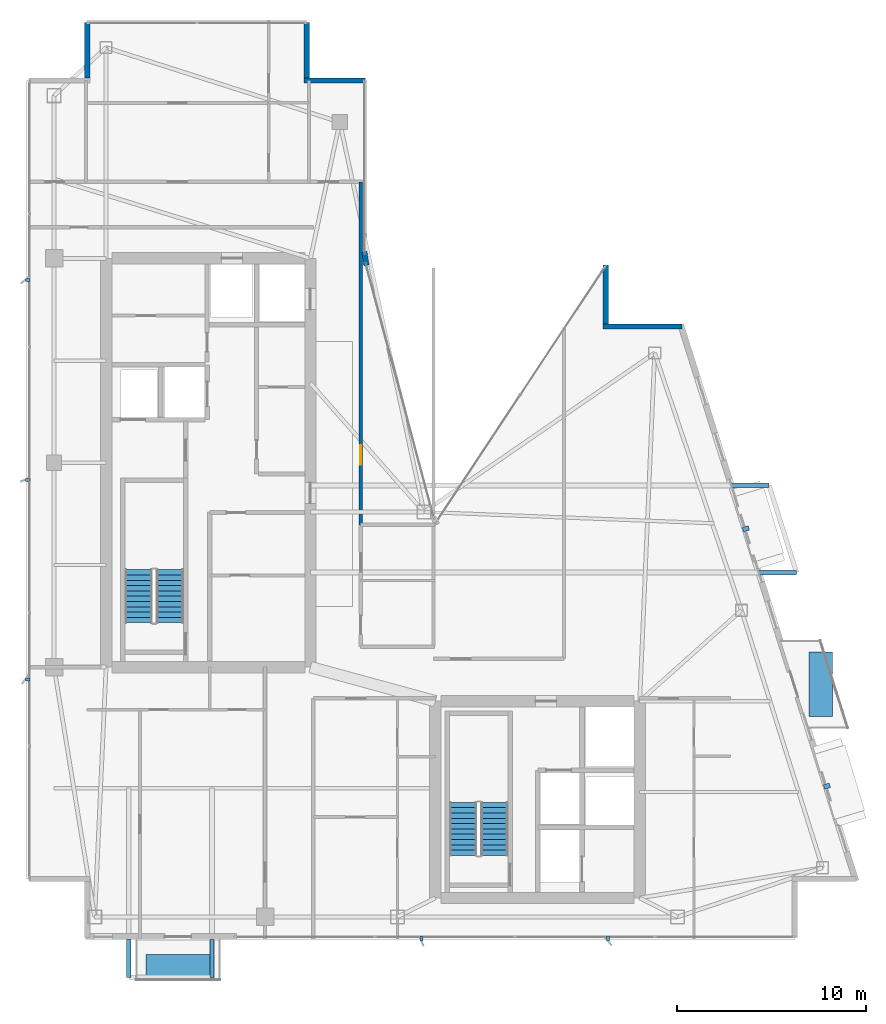
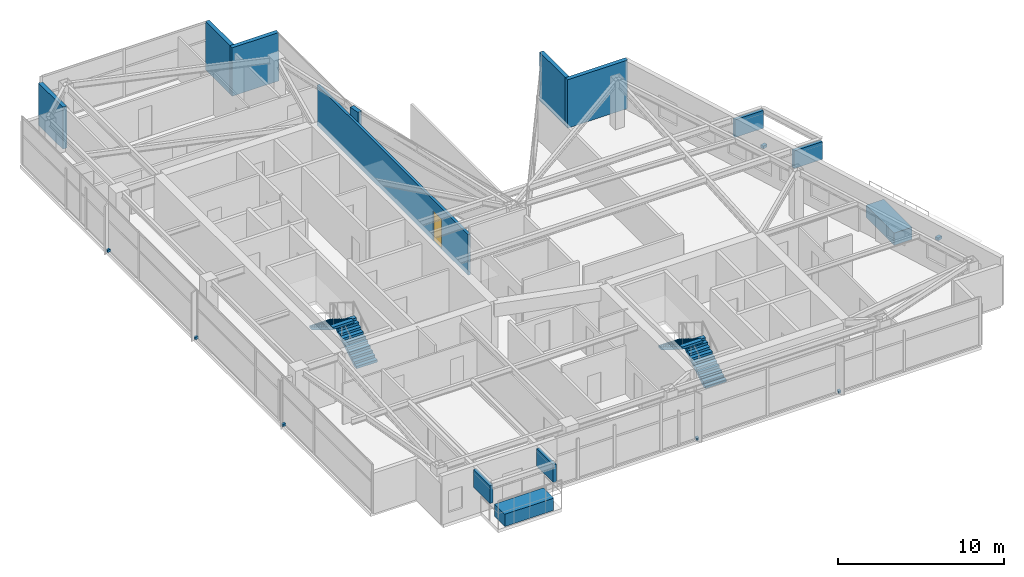
# One storey, part 26 of 28: 13 discrete accessories, 7 walls, 4 stair flights, 1 door, 1 opening, 2 elements without a shape of their own.
"""IFC4 building model written with IfcOpenShell, lengths in metres."""

from ifc_helpers import new_model, si_unit, direction, frame, frame_2d, origin, origin_2d, place, context, subcontext, project, spatial, polyline, rectangle, outline, extrude, material, layer, layer_set, type_object, element, fill, aggregate, save


model = new_model("IFC4")

# Units and contexts
model_context = context("Model", 3, precision=1e-05, world=origin(), true_north=direction((0.0, 1.0)))
body_context = subcontext(model_context, "Body", "Model", "MODEL_VIEW")
ifc_project = project(units=[si_unit("LENGTHUNIT", "METRE"), si_unit("AREAUNIT", "SQUARE_METRE"), si_unit("VOLUMEUNIT", "CUBIC_METRE"), si_unit("PLANEANGLEUNIT", "RADIAN"), si_unit("MASSUNIT", "GRAM", prefix="KILO")], contexts=[model_context])

# Site, building, storey
site_placement = place(None, origin())
site = spatial("IfcSite", under=ifc_project, at=site_placement, CompositionType="ELEMENT")
building_placement = place(site_placement, origin())
building = spatial("IfcBuilding", under=site, at=building_placement, Name="Calvorn Quay Hotel", CompositionType="ELEMENT")
storey_placement = place(building_placement, frame((0.0, 0.0, 274.89990234375)))
storey = spatial("IfcBuildingStorey", under=building, at=storey_placement, Name="L68", CompositionType="ELEMENT", Elevation=274.89990234375)

# Wall, opening, door
ifc_material_1 = material(Name="Acoustic Fireboard Steel-Stud Partition", Category="steel")
ifc_layer_1 = layer(ifc_material_1, 0.179931640625)
ifc_layer_set_1 = layer_set([ifc_layer_1], Name="WL-CORR-FIRE-180")
wall_type_1 = type_object("IfcWallType", Name="WL-CORR-FIRE-180", PredefinedType="PARTITIONING", material=ifc_layer_set_1)
wall_1_placement = place(storey_placement, frame((17.64990234375, 24.300048828125, 0.0), z_axis=(0.0, 0.0, 1.0), x_axis=(0.0, 1.0, 0.0)))
wall_1 = element("IfcWall", 1, at=wall_1_placement, inside=storey, type_object=wall_type_1, Name="Partition Wall L68-WL-NW-CLOSURE-E", PredefinedType="PARTITIONING", context=body_context, shape_type="SweptSolid", body=[
    extrude(rectangle(XDim=18.14990234375, YDim=0.179931640625, at=frame_2d((9.074951171875, 0.0))), origin(), (0.0, 0.0, 1.0), 2.989990234375),
])
opening_placement = place(wall_1_placement, frame((3.199951171875, 0.0, 0.0)))
opening = element("IfcOpeningElement", 2, at=opening_placement, cuts=wall_1, Name="Opening D-L68-NCU", PredefinedType="OPENING", context=body_context, shape_type="SweptSolid", body=[
    extrude(rectangle(XDim=1.02001953125, YDim=2.199951171875, at=frame_2d((0.510009765625, 1.10009765625))), frame((0.0, 0.099853515625, 0.0), z_axis=(0.0, -1.0, 0.0), x_axis=(1.0, 0.0, 0.0)), (0.0, 0.0, 1.0), 0.199951171875),
])
ifc_material_2 = material(Name="Solid-Core Walnut Veneer Hotel Fire Door")
door_type = type_object("IfcDoorType", Name="DR-GUEST-ENTRY-1020", OperationType="NOTDEFINED", PredefinedType="DOOR", material=ifc_material_2)
door_placement = place(opening_placement, origin())
door = element("IfcDoor", 3, at=door_placement, inside=storey, type_object=door_type, Name="Inner Court Horizon Study Door (L68)", OperationType="SINGLE_SWING_RIGHT", OverallHeight=2.199951171875, OverallWidth=1.02001953125, PredefinedType="DOOR", context=body_context, shape_type="SweptSolid", body=[
    extrude(rectangle(XDim=1.02001953125, YDim=2.199951171875, at=frame_2d((0.510009765625, 1.10009765625))), frame((0.0, 0.02490234375, 0.0), z_axis=(0.0, -1.0, 0.0), x_axis=(1.0, 0.0, 0.0)), (0.0, 0.0, 1.0), 0.050048828125),
])
fill(opening, door)

# Walls
ifc_material_3 = material(Name="Concrete C40", Category="concrete")
ifc_layer_2 = layer(ifc_material_3, 0.320068359375)
ifc_layer_set_2 = layer_set([ifc_layer_2], Name="WL-EXT-SPANDREL-320")
wall_type_2 = type_object("IfcWallType", Name="WL-EXT-SPANDREL-320", PredefinedType="SOLIDWALL", material=ifc_layer_set_2)
wall_2_placement = place(storey_placement, frame((17.9619140625, 38.030029296875, 0.0), z_axis=(0.0, 0.0, 1.0), x_axis=(-0.15141125477, 0.988470855377, 0.0)))
element("IfcWall", 4, at=wall_2_placement, inside=storey, type_object=wall_type_2, Name="Inner Court Corner Pier L68-ICJ2", PredefinedType="SOLIDWALL", context=body_context, shape_type="SweptSolid", body=[
    extrude(rectangle(XDim=0.738525390625, YDim=0.280029296875, at=frame_2d((0.369140625, 0.0))), origin(), (0.0, 0.0, 1.0), 3.56005859375),
])
wall_3_placement = place(storey_placement, frame((34.639892578125, 34.800048828125, 0.0), z_axis=(0.0, 0.0, 1.0), x_axis=(-1.0, 0.0, 0.0)))
element("IfcWall", 5, at=wall_3_placement, inside=storey, type_object=wall_type_2, Name="Notched Corner Spandrel L68-NE1", PredefinedType="SOLIDWALL", context=body_context, shape_type="SweptSolid", body=[
    extrude(rectangle(XDim=4.179931640625, YDim=0.280029296875, at=frame_2d((2.08984375, 0.0))), origin(), (0.0, 0.0, 1.0), 3.56005859375),
])
wall_4_placement = place(storey_placement, frame((30.60009765625, 34.93994140625, 0.0), z_axis=(0.0, 0.0, 1.0), x_axis=(0.0, 1.0, 0.0)))
element("IfcWall", 6, at=wall_4_placement, inside=storey, type_object=wall_type_2, Name="Notched Corner Spandrel L68-NE2", PredefinedType="SOLIDWALL", context=body_context, shape_type="SweptSolid", body=[
    extrude(rectangle(XDim=3.10009765625, YDim=0.280029296875, at=frame_2d((1.550048828125, 0.0))), origin(), (0.0, 0.0, 1.0), 3.56005859375),
])
wall_5_placement = place(storey_placement, frame((17.89990234375, 47.800048828125, 0.0), z_axis=(0.0, 0.0, 1.0), x_axis=(-1.0, 0.0, 0.0)))
element("IfcWall", 7, at=wall_5_placement, inside=storey, type_object=wall_type_2, Name="Notched Corner Spandrel L68-NWE1", PredefinedType="SOLIDWALL", context=body_context, shape_type="SweptSolid", body=[
    extrude(rectangle(XDim=3.239990234375, YDim=0.280029296875, at=frame_2d((1.6201171875, 0.0))), origin(), (0.0, 0.0, 1.0), 3.56005859375),
])
wall_6_placement = place(storey_placement, frame((14.800048828125, 47.93994140625, 0.0), z_axis=(0.0, 0.0, 1.0), x_axis=(0.0, 1.0, 0.0)))
element("IfcWall", 8, at=wall_6_placement, inside=storey, type_object=wall_type_2, Name="Notched Corner Spandrel L68-NWE2", PredefinedType="SOLIDWALL", context=body_context, shape_type="SweptSolid", body=[
    extrude(rectangle(XDim=2.93994140625, YDim=0.280029296875, at=frame_2d((1.469970703125, 0.0))), origin(), (0.0, 0.0, 1.0), 3.56005859375),
])
wall_7_placement = place(storey_placement, frame((3.199951171875, 50.8798828125, 0.0), z_axis=(0.0, 0.0, 1.0), x_axis=(0.0, -1.0, 0.0)))
element("IfcWall", 9, at=wall_7_placement, inside=storey, type_object=wall_type_2, Name="Notched Corner Spandrel L68-NW1", PredefinedType="SOLIDWALL", context=body_context, shape_type="SweptSolid", body=[
    extrude(rectangle(XDim=2.93994140625, YDim=0.280029296875, at=frame_2d((1.469970703125, 0.0))), origin(), (0.0, 0.0, 1.0), 3.090087890625),
])

# Stair, stair flights
ifc_material_4 = material(Name="Concrete C40", Category="concrete")
stair_type = type_object("IfcStairType", Name="STR-CORE-DOGLEG", PredefinedType="HALF_TURN_STAIR", material=ifc_material_4)
stair_1_placement = place(storey_placement, origin())
stair_1 = element("IfcStair", 10, at=stair_1_placement, inside=storey, type_object=stair_type, Name="L68 ST-W", PredefinedType="HALF_TURN_STAIR")
ifc_material_5 = material(Name="Concrete C40", Category="concrete")
stair_flight_type = type_object("IfcStairFlightType", Name="FLT-CORE-1550", PredefinedType="STRAIGHT", material=ifc_material_5)
stair_flight_1_placement = place(storey_placement, frame((7.574951171875, 19.14990234375, 0.0), z_axis=(0.0, 0.0, 1.0), x_axis=(0.0, 1.0, 0.0)))
stair_flight_1 = element("IfcStairFlight", 11, at=stair_flight_1_placement, type_object=stair_flight_type, Name="ST-W flight 1", NumberOfRisers=11, NumberOfTreads=10, PredefinedType="STRAIGHT", RiserHeight=0.172727273, TreadLength=0.28, context=body_context, shape_type="SweptSolid", body=[
    extrude(outline(polyline([(0.0, 0.0), (0.0, 0.172607421875), (0.280029296875, 0.172607421875), (0.280029296875, 0.345458984375), (0.56005859375, 0.345458984375), (0.56005859375, 0.51806640625), (0.840087890625, 0.51806640625), (0.840087890625, 0.69091796875), (1.1201171875, 0.69091796875), (1.1201171875, 0.863525390625), (1.39990234375, 0.863525390625), (1.39990234375, 1.036376953125), (1.679931640625, 1.036376953125), (1.679931640625, 1.208984375), (1.9599609375, 1.208984375), (1.9599609375, 1.3818359375), (2.239990234375, 1.3818359375), (2.239990234375, 1.554443359375), (2.52001953125, 1.554443359375), (2.52001953125, 1.727294921875), (2.800048828125, 1.727294921875), (2.800048828125, 1.89990234375), (2.800048828125, 1.551025390625), (0.285400390625, 0.0), (0.0, 0.0)])), frame((0.0, 0.72509765625, 0.0), z_axis=(0.0, -1.0, 0.0), x_axis=(1.0, 0.0, 0.0)), (0.0, 0.0, 1.0), 1.449951171875),
])
stair_flight_2_placement = place(storey_placement, frame((5.925048828125, 21.949951171875, 1.900146484375), z_axis=(0.0, 0.0, 1.0), x_axis=(0.0, -1.0, 0.0)))
stair_flight_2 = element("IfcStairFlight", 12, at=stair_flight_2_placement, type_object=stair_flight_type, Name="ST-W flight 2", NumberOfRisers=11, NumberOfTreads=10, PredefinedType="STRAIGHT", RiserHeight=0.172727273, TreadLength=0.28, context=body_context, shape_type="SweptSolid", body=[
    extrude(outline(polyline([(0.0, 0.0), (0.0, 0.172607421875), (0.280029296875, 0.172607421875), (0.280029296875, 0.345458984375), (0.56005859375, 0.345458984375), (0.56005859375, 0.51806640625), (0.840087890625, 0.51806640625), (0.840087890625, 0.69091796875), (1.1201171875, 0.69091796875), (1.1201171875, 0.863525390625), (1.39990234375, 0.863525390625), (1.39990234375, 1.036376953125), (1.679931640625, 1.036376953125), (1.679931640625, 1.208984375), (1.9599609375, 1.208984375), (1.9599609375, 1.3818359375), (2.239990234375, 1.3818359375), (2.239990234375, 1.554443359375), (2.52001953125, 1.554443359375), (2.52001953125, 1.727294921875), (2.800048828125, 1.727294921875), (2.800048828125, 1.89990234375), (2.800048828125, 1.551025390625), (0.285400390625, 0.0), (0.0, 0.0)])), frame((0.0, 0.72509765625, 0.0), z_axis=(0.0, -1.0, 0.0), x_axis=(1.0, 0.0, 0.0)), (0.0, 0.0, 1.0), 1.449951171875),
])
aggregate(stair_1, [stair_flight_1, stair_flight_2])

stair_2_placement = place(storey_placement, origin())
stair_2 = element("IfcStair", 13, at=stair_2_placement, inside=storey, type_object=stair_type, Name="L68 ST-E", PredefinedType="HALF_TURN_STAIR")
stair_flight_3_placement = place(storey_placement, frame((24.72509765625, 6.85009765625, 0.0), z_axis=(0.0, 0.0, 1.0), x_axis=(0.0, 1.0, 0.0)))
stair_flight_3 = element("IfcStairFlight", 14, at=stair_flight_3_placement, type_object=stair_flight_type, Name="ST-E flight 1", NumberOfRisers=11, NumberOfTreads=10, PredefinedType="STRAIGHT", RiserHeight=0.172727273, TreadLength=0.28, context=body_context, shape_type="SweptSolid", body=[
    extrude(outline(polyline([(0.0, 0.0), (0.0, 0.172607421875), (0.280029296875, 0.172607421875), (0.280029296875, 0.345458984375), (0.56005859375, 0.345458984375), (0.56005859375, 0.51806640625), (0.840087890625, 0.51806640625), (0.840087890625, 0.69091796875), (1.1201171875, 0.69091796875), (1.1201171875, 0.863525390625), (1.39990234375, 0.863525390625), (1.39990234375, 1.036376953125), (1.679931640625, 1.036376953125), (1.679931640625, 1.208984375), (1.9599609375, 1.208984375), (1.9599609375, 1.3818359375), (2.239990234375, 1.3818359375), (2.239990234375, 1.554443359375), (2.52001953125, 1.554443359375), (2.52001953125, 1.727294921875), (2.800048828125, 1.727294921875), (2.800048828125, 1.89990234375), (2.800048828125, 1.551025390625), (0.285400390625, 0.0), (0.0, 0.0)])), frame((0.0, 0.72509765625, 0.0), z_axis=(0.0, -1.0, 0.0), x_axis=(1.0, 0.0, 0.0)), (0.0, 0.0, 1.0), 1.449951171875),
])
stair_flight_4_placement = place(storey_placement, frame((23.074951171875, 9.64990234375, 1.900146484375), z_axis=(0.0, 0.0, 1.0), x_axis=(0.0, -1.0, 0.0)))
stair_flight_4 = element("IfcStairFlight", 15, at=stair_flight_4_placement, type_object=stair_flight_type, Name="ST-E flight 2", NumberOfRisers=11, NumberOfTreads=10, PredefinedType="STRAIGHT", RiserHeight=0.172727273, TreadLength=0.28, context=body_context, shape_type="SweptSolid", body=[
    extrude(outline(polyline([(0.0, 0.0), (0.0, 0.172607421875), (0.280029296875, 0.172607421875), (0.280029296875, 0.345458984375), (0.56005859375, 0.345458984375), (0.56005859375, 0.51806640625), (0.840087890625, 0.51806640625), (0.840087890625, 0.69091796875), (1.1201171875, 0.69091796875), (1.1201171875, 0.863525390625), (1.39990234375, 0.863525390625), (1.39990234375, 1.036376953125), (1.679931640625, 1.036376953125), (1.679931640625, 1.208984375), (1.9599609375, 1.208984375), (1.9599609375, 1.3818359375), (2.239990234375, 1.3818359375), (2.239990234375, 1.554443359375), (2.52001953125, 1.554443359375), (2.52001953125, 1.727294921875), (2.800048828125, 1.727294921875), (2.800048828125, 1.89990234375), (2.800048828125, 1.551025390625), (0.285400390625, 0.0), (0.0, 0.0)])), frame((0.0, 0.72509765625, 0.0), z_axis=(0.0, -1.0, 0.0), x_axis=(1.0, 0.0, 0.0)), (0.0, 0.0, 1.0), 1.449951171875),
])
aggregate(stair_2, [stair_flight_3, stair_flight_4])

# Discrete accessories
ifc_material_6 = material(Name="Steel Q355B", Category="steel")
discrete_accessory_type_1 = type_object("IfcDiscreteAccessoryType", Name="ACC-BALC-STRUT", PredefinedType="BRACKET", material=ifc_material_6)
for number, where, z_axis, x_axis, name in (
    (16, (39.69091796875, 21.800048828125, 2.01513671875), (0.0, 0.0, 1.0), (1.0, 0.0, 0.0), "Exterior Balcony Steel Bracket L69-BALC-E-A"),
    (17, (38.241943359375, 26.39990234375, 2.01513671875), (0.0, 0.0, 1.0), (1.0, 0.0, 0.0), "Exterior Balcony Steel Bracket L69-BALC-E-B"),
):
    element("IfcDiscreteAccessory", number, at=place(storey_placement, frame(where, z_axis=z_axis, x_axis=x_axis)), inside=storey, type_object=discrete_accessory_type_1, Name=name, PredefinedType="BRACKET", context=body_context, shape_type="SweptSolid", body=[
        extrude(rectangle(XDim=1.989990234375, YDim=0.219970703125, at=origin_2d()), origin(), (0.0, 0.0, 1.0), 1.300048828125),
    ])
for number, where, z_axis, x_axis, name in (
    (18, (5.39990234375, 1.405029296875, 2.01513671875), (0.0, 0.0, 1.0), (1.0, 0.0, 0.0), "Exterior Balcony Steel Bracket L69-BALC-S-A"),
    (19, (9.800048828125, 1.405029296875, 2.01513671875), (0.0, 0.0, 1.0), (1.0, 0.0, 0.0), "Exterior Balcony Steel Bracket L69-BALC-S-B"),
):
    element("IfcDiscreteAccessory", number, at=place(storey_placement, frame(where, z_axis=z_axis, x_axis=x_axis)), inside=storey, type_object=discrete_accessory_type_1, Name=name, PredefinedType="BRACKET", context=body_context, shape_type="SweptSolid", body=[
        extrude(rectangle(XDim=0.219970703125, YDim=1.989990234375, at=origin_2d()), origin(), (0.0, 0.0, 1.0), 1.300048828125),
    ])
ifc_material_7 = material(Name="Steel Q355B", Category="steel")
discrete_accessory_type_2 = type_object("IfcDiscreteAccessoryType", Name="ACC-FIN-BRACKET", PredefinedType="BRACKET", material=ifc_material_7)
for number, where, z_axis, x_axis, name in (
    (20, (0.06005859375, 16.14990234375, 0.0302734375), (0.0, 0.0, 1.0), (1.0, 0.0, 0.0), "Fin Anchor Bracket L68-W01"),
    (21, (0.06005859375, 26.699951171875, 0.0302734375), (0.0, 0.0, 1.0), (1.0, 0.0, 0.0), "Fin Anchor Bracket L68-W02"),
    (22, (0.06005859375, 37.25, 0.0302734375), (0.0, 0.0, 1.0), (1.0, 0.0, 0.0), "Fin Anchor Bracket L68-W03"),
    (23, (20.866943359375, 2.4599609375, 0.0302734375), (0.0, 0.0, 1.0), (0.0, 1.0, 0.0), "Fin Anchor Bracket L68-S01"),
    (24, (30.73291015625, 2.4599609375, 0.0302734375), (0.0, 0.0, 1.0), (0.0, 1.0, 0.0), "Fin Anchor Bracket L68-S02"),
):
    element("IfcDiscreteAccessory", number, at=place(storey_placement, frame(where, z_axis=z_axis, x_axis=x_axis)), inside=storey, type_object=discrete_accessory_type_2, Name=name, PredefinedType="BRACKET", context=body_context, shape_type="SweptSolid", body=[
        extrude(rectangle(XDim=0.239990234375, YDim=0.159912109375, at=origin_2d()), origin(), (0.0, 0.0, 1.0), 0.179931640625),
    ])
for number, where, z_axis, x_axis, name in (
    (25, (42.294921875, 10.511962890625, 2.3701171875), (0.0, 0.0, 1.0), (0.957319497532, 0.289031796944, 0.0), "Bay Hood Support Bracket L68-HOOD-1"),
    (26, (38.010009765625, 24.112060546875, 2.3701171875), (0.0, 0.0, 1.0), (0.957319497532, 0.289031796944, 0.0), "Bay Hood Support Bracket L68-HOOD-3"),
):
    element("IfcDiscreteAccessory", number, at=place(storey_placement, frame(where, z_axis=z_axis, x_axis=x_axis)), inside=storey, type_object=discrete_accessory_type_2, Name=name, PredefinedType="BRACKET", context=body_context, shape_type="SweptSolid", body=[
        extrude(rectangle(XDim=0.320068359375, YDim=0.239990234375, at=origin_2d()), origin(), (0.0, 0.0, 1.0), 0.199951171875),
    ])
ifc_material_8 = material(Name="Precast concrete C40", Category="concrete")
discrete_accessory_type_3 = type_object("IfcDiscreteAccessoryType", Name="ACC-TREE-PLANTER", PredefinedType="USERDEFINED", material=ifc_material_8)
discrete_accessory_1_placement = place(storey_placement, frame((41.965087890625, 15.89990234375, 0.000244140625), z_axis=(0.0, 0.0, 1.0), x_axis=(1.0, 0.0, 0.0)))
element("IfcDiscreteAccessory", 27, at=discrete_accessory_1_placement, inside=storey, type_object=discrete_accessory_type_3, Name="Subtropical Tree Structural Planter L68-BALC-E", ObjectType="PLANTER", PredefinedType="USERDEFINED", context=body_context, shape_type="SweptSolid", body=[
    extrude(rectangle(XDim=1.25, YDim=3.39990234375, at=origin_2d()), origin(), (0.0, 0.0, 1.0), 0.89990234375),
])
discrete_accessory_2_placement = place(storey_placement, frame((8.0, 0.989990234375, 0.000244140625), z_axis=(0.0, 0.0, 1.0), x_axis=(1.0, 0.0, 0.0)))
element("IfcDiscreteAccessory", 28, at=discrete_accessory_2_placement, inside=storey, type_object=discrete_accessory_type_3, Name="Subtropical Tree Structural Planter L68-BALC-S", ObjectType="PLANTER", PredefinedType="USERDEFINED", context=body_context, shape_type="SweptSolid", body=[
    extrude(rectangle(XDim=3.39990234375, YDim=1.25, at=origin_2d()), origin(), (0.0, 0.0, 1.0), 0.89990234375),
])

save(model, "model.ifc")
